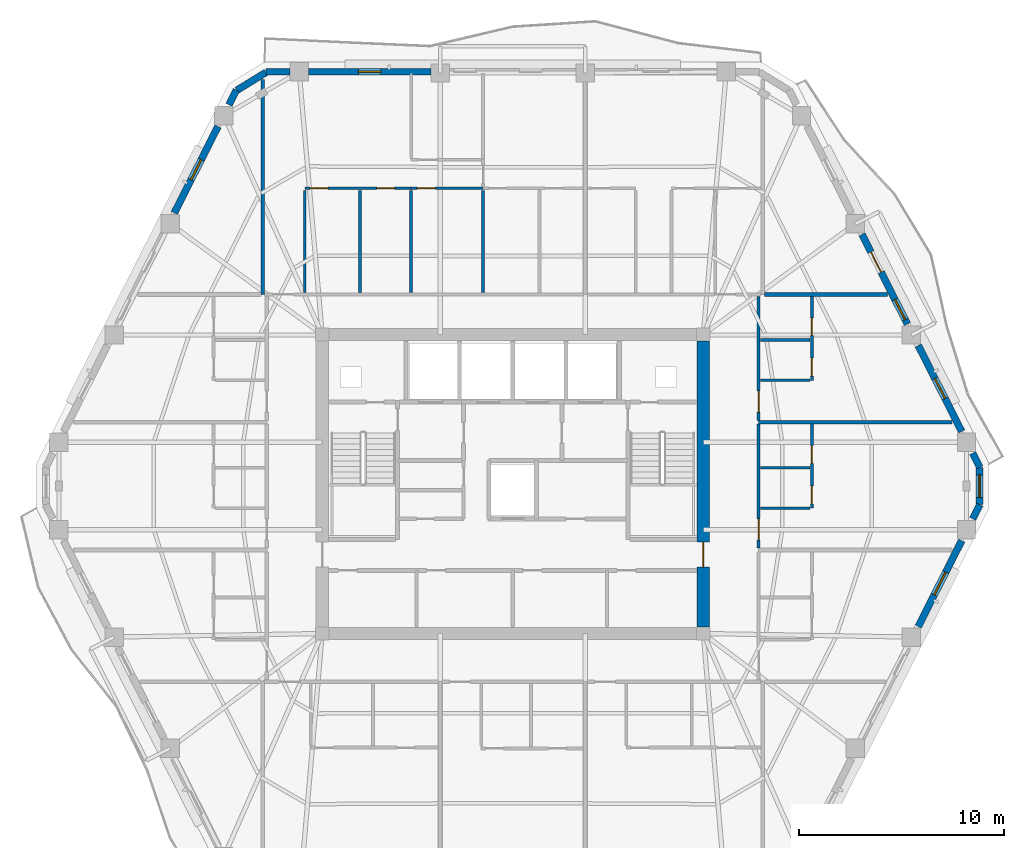
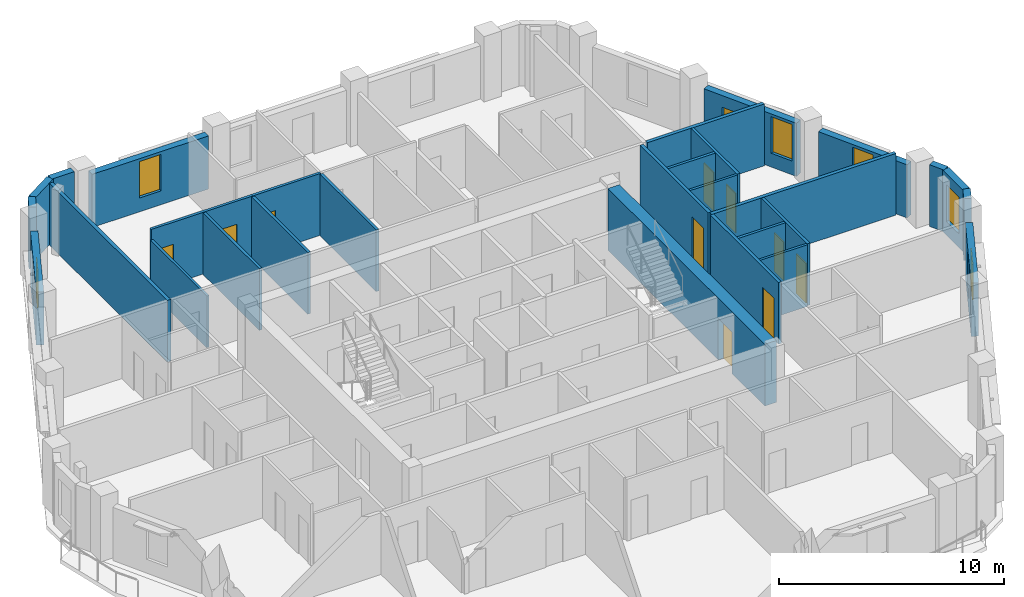
# One storey, part 7 of 11: 29 walls, 11 doors, 6 windows, 17 openings.
"""IFC4 building model written with IfcOpenShell, lengths in metres."""

from ifc_helpers import new_model, si_unit, direction, frame, frame_2d, origin, place, context, subcontext, project, spatial, rectangle, extrude, material, layer, layer_set, type_object, element, fill, save


model = new_model("IFC4")

# Units and contexts
model_context = context("Model", 3, precision=1e-05, world=origin(), true_north=direction((0.0, 1.0)))
body_context = subcontext(model_context, "Body", "Model", "MODEL_VIEW")
ifc_project = project(units=[si_unit("LENGTHUNIT", "METRE"), si_unit("AREAUNIT", "SQUARE_METRE"), si_unit("VOLUMEUNIT", "CUBIC_METRE"), si_unit("PLANEANGLEUNIT", "RADIAN"), si_unit("MASSUNIT", "GRAM", prefix="KILO")], contexts=[model_context])

# Site, building, storey
site_placement = place(None, origin())
site = spatial("IfcSite", under=ifc_project, at=site_placement, CompositionType="ELEMENT")
building_placement = place(site_placement, origin())
building = spatial("IfcBuilding", under=site, at=building_placement, Name="Cinnabar Lancet Tower", CompositionType="ELEMENT")
storey_placement = place(building_placement, frame((0.0, 0.0, 200.300048828125)))
storey = spatial("IfcBuildingStorey", under=building, at=storey_placement, Name="L53", CompositionType="ELEMENT", Elevation=200.300048828125)

# Wall, opening, door
ifc_material_1 = material(Name="Acoustic twin-stud gypsum partition", Category="gypsum")
ifc_layer_1 = layer(ifc_material_1, 0.159912109375)
ifc_layer_set_1 = layer_set([ifc_layer_1], Name="Acoustic twin-stud gypsum partition")
wall_type_1 = type_object("IfcWallType", Name="ARC-WL-CORR-160", PredefinedType="PARTITIONING", material=ifc_layer_set_1)
wall_1_placement = place(storey_placement, frame((44.39990234375, 22.77099609375, 0.0), z_axis=(0.0, 0.0, 1.0), x_axis=(0.0, 1.0, 0.0)))
wall_1 = element("IfcWall", 1, at=wall_1_placement, inside=storey, type_object=wall_type_1, Name="UW-L53-E02-COR", PredefinedType="PARTITIONING", context=body_context, shape_type="SweptSolid", body=[
    extrude(rectangle(XDim=6.047119140625, YDim=0.159912109375, at=frame_2d((3.0234375, 0.0))), origin(), (0.0, 0.0, 1.0), 3.349853515625),
])
opening_1_placement = place(wall_1_placement, frame((0.39990234375, 0.0, 0.0)))
opening_1 = element("IfcOpeningElement", 2, at=opening_1_placement, cuts=wall_1, Name="Opening UD-01", PredefinedType="OPENING", context=body_context, shape_type="SweptSolid", body=[
    extrude(rectangle(XDim=1.02001953125, YDim=2.25, at=frame_2d((0.510009765625, 1.125))), frame((0.0, 0.08984375, 0.0), z_axis=(0.0, -1.0, 0.0), x_axis=(1.0, 0.0, 0.0)), (0.0, 0.0, 1.0), 0.179931640625),
])
ifc_material_2 = material(Name="Solid timber fire-rated apartment entrance door", Category="wood")
door_type_1 = type_object("IfcDoorType", Name="ARC-DR-UNIT", OperationType="NOTDEFINED", PredefinedType="DOOR", material=ifc_material_2)
door_1_placement = place(opening_1_placement, origin())
door_1 = element("IfcDoor", 3, at=door_1_placement, inside=storey, type_object=door_type_1, Name="DR-L53-E02-ENT", OperationType="SINGLE_SWING_LEFT", OverallHeight=2.25, OverallWidth=1.02001953125, PredefinedType="DOOR", context=body_context, shape_type="SweptSolid", body=[
    extrude(rectangle(XDim=1.02001953125, YDim=2.25, at=frame_2d((0.510009765625, 1.125))), frame((0.0, 0.02490234375, 0.0), z_axis=(0.0, -1.0, 0.0), x_axis=(1.0, 0.0, 0.0)), (0.0, 0.0, 1.0), 0.050048828125),
])
fill(opening_1, door_1)

wall_2_placement = place(storey_placement, frame((44.39990234375, 29.008056640625, 0.0), z_axis=(0.0, 0.0, 1.0), x_axis=(0.0, 1.0, 0.0)))
wall_2 = element("IfcWall", 4, at=wall_2_placement, inside=storey, type_object=wall_type_1, Name="UW-L53-E03-COR", PredefinedType="PARTITIONING", context=body_context, shape_type="SweptSolid", body=[
    extrude(rectangle(XDim=6.046875, YDim=0.159912109375, at=frame_2d((3.0234375, 0.0))), origin(), (0.0, 0.0, 1.0), 3.349853515625),
])
opening_2_placement = place(wall_2_placement, frame((0.39990234375, 0.0, 0.0)))
opening_2 = element("IfcOpeningElement", 5, at=opening_2_placement, cuts=wall_2, Name="Opening UD-01", PredefinedType="OPENING", context=body_context, shape_type="SweptSolid", body=[
    extrude(rectangle(XDim=1.02001953125, YDim=2.25, at=frame_2d((0.510009765625, 1.125))), frame((0.0, 0.08984375, 0.0), z_axis=(0.0, -1.0, 0.0), x_axis=(1.0, 0.0, 0.0)), (0.0, 0.0, 1.0), 0.179931640625),
])
door_2_placement = place(opening_2_placement, origin())
door_2 = element("IfcDoor", 6, at=door_2_placement, inside=storey, type_object=door_type_1, Name="DR-L53-E03-ENT", OperationType="SINGLE_SWING_RIGHT", OverallHeight=2.25, OverallWidth=1.02001953125, PredefinedType="DOOR", context=body_context, shape_type="SweptSolid", body=[
    extrude(rectangle(XDim=1.02001953125, YDim=2.25, at=frame_2d((0.510009765625, 1.125))), frame((0.0, 0.02490234375, 0.0), z_axis=(0.0, -1.0, 0.0), x_axis=(1.0, 0.0, 0.0)), (0.0, 0.0, 1.0), 0.050048828125),
])
fill(opening_2, door_2)

# Walls
ifc_material_3 = material(Name="Fire-rated twin-frame acoustic drywall", Category="gypsum")
ifc_layer_2 = layer(ifc_material_3, 0.179931640625)
ifc_layer_set_2 = layer_set([ifc_layer_2], Name="Fire-rated twin-frame acoustic drywall")
wall_type_2 = type_object("IfcWallType", Name="ARC-WL-PARTY-180", PredefinedType="PARTITIONING", material=ifc_layer_set_2)
wall_3_placement = place(storey_placement, frame((20.199951171875, 35.14990234375, 0.0), z_axis=(0.0, 0.0, 1.0), x_axis=(0.0, 1.0, 0.0)))
element("IfcWall", 7, at=wall_3_placement, inside=storey, type_object=wall_type_2, Name="PW-L53-NPTY-202", PredefinedType="PARTITIONING", context=body_context, shape_type="SweptSolid", body=[
    extrude(rectangle(XDim=10.482177734375, YDim=0.179931640625, at=frame_2d((5.2412109375, 0.0))), origin(), (0.0, 0.0, 1.0), 3.349853515625),
])
wall_4_placement = place(storey_placement, frame((44.695068359375, 35.14990234375, 0.0), z_axis=(0.0, 0.0, 1.0), x_axis=(1.0, 0.0, 0.0)))
element("IfcWall", 8, at=wall_4_placement, inside=storey, type_object=wall_type_2, Name="PW-L53-ENB", PredefinedType="PARTITIONING", context=body_context, shape_type="SweptSolid", body=[
    extrude(rectangle(XDim=5.994873046875, YDim=0.179931640625, at=frame_2d((2.99755859375, 0.0))), origin(), (0.0, 0.0, 1.0), 3.349853515625),
])
wall_5_placement = place(storey_placement, frame((44.39990234375, 28.9130859375, 0.0), z_axis=(0.0, 0.0, 1.0), x_axis=(1.0, 0.0, 0.0)))
element("IfcWall", 9, at=wall_5_placement, inside=storey, type_object=wall_type_2, Name="PW-L53-EPTY-2", PredefinedType="PARTITIONING", context=body_context, shape_type="SweptSolid", body=[
    extrude(rectangle(XDim=9.446044921875, YDim=0.179931640625, at=frame_2d((4.72314453125, 0.0))), origin(), (0.0, 0.0, 1.0), 3.349853515625),
])
ifc_material_4 = material(Name="Gypsum plasterboard stud partition", Category="gypsum")
ifc_layer_3 = layer(ifc_material_4, 0.125)
ifc_layer_set_3 = layer_set([ifc_layer_3], Name="Gypsum plasterboard stud partition")
wall_type_3 = type_object("IfcWallType", Name="ARC-WL-UNIT-125", PredefinedType="PARTITIONING", material=ifc_layer_set_3)
wall_6_placement = place(storey_placement, frame((22.25, 35.235107421875, 0.0), z_axis=(0.0, 0.0, 1.0), x_axis=(0.0, 1.0, 0.0)))
element("IfcWall", 10, at=wall_6_placement, inside=storey, type_object=wall_type_3, Name="UW-L53-N01-FOYE", PredefinedType="PARTITIONING", context=body_context, shape_type="SweptSolid", body=[
    extrude(rectangle(XDim=4.990966796875, YDim=0.125, at=frame_2d((2.49560546875, 0.0))), origin(), (0.0, 0.0, 1.0), 2.806884765625),
])
for number, where, z_axis, x_axis, name in (
    (11, (44.485107421875, 24.72607421875, 0.0), (0.0, 0.0, 1.0), (1.0, 0.0, 0.0), "UW-L53-E02-FOYN"),
    (12, (44.485107421875, 30.962890625, 0.0), (0.0, 0.0, 1.0), (1.0, 0.0, 0.0), "UW-L53-E03-FOYN"),
):
    element("IfcWall", number, at=place(storey_placement, frame(where, z_axis=z_axis, x_axis=x_axis)), inside=storey, type_object=wall_type_3, Name=name, PredefinedType="PARTITIONING", context=body_context, shape_type="SweptSolid", body=[
        extrude(rectangle(XDim=2.429931640625, YDim=0.125, at=frame_2d((1.21484375, 0.0))), origin(), (0.0, 0.0, 1.0), 3.349853515625),
    ])

# Wall, openings, doors
ifc_material_5 = material(Name="Moisture-resistant cement-board plumbing wall", Category="masonry")
ifc_layer_4 = layer(ifc_material_5, 0.139892578125)
ifc_layer_set_4 = layer_set([ifc_layer_4], Name="Moisture-resistant cement-board plumbing wall")
wall_type_4 = type_object("IfcWallType", Name="ARC-WL-WET-140", PredefinedType="PLUMBINGWALL", material=ifc_layer_set_4)
wall_7_placement = place(storey_placement, frame((22.25, 40.3310546875, 0.0), z_axis=(0.0, 0.0, 1.0), x_axis=(1.0, 0.0, 0.0)))
wall_7 = element("IfcWall", 13, at=wall_7_placement, inside=storey, type_object=wall_type_4, Name="UW-L53-N01-SPL", PredefinedType="PLUMBINGWALL", context=body_context, shape_type="SweptSolid", body=[
    extrude(rectangle(XDim=5.19189453125, YDim=0.139892578125, at=frame_2d((2.595947265625, 0.0))), origin(), (0.0, 0.0, 1.0), 3.349853515625),
])
opening_3_placement = place(wall_7_placement, frame((3.52099609375, 0.0, 0.0)))
opening_3 = element("IfcOpeningElement", 14, at=opening_3_placement, cuts=wall_7, Name="Opening BD-01", PredefinedType="OPENING", context=body_context, shape_type="SweptSolid", body=[
    extrude(rectangle(XDim=0.860107421875, YDim=2.10009765625, at=frame_2d((0.43017578125, 1.050048828125))), frame((0.0, 0.079833984375, 0.0), z_axis=(0.0, -1.0, 0.0), x_axis=(1.0, 0.0, 0.0)), (0.0, 0.0, 1.0), 0.159912109375),
])
opening_4_placement = place(wall_7_placement, frame((0.260009765625, 0.0, 0.0)))
opening_4 = element("IfcOpeningElement", 15, at=opening_4_placement, cuts=wall_7, Name="Opening RD-02", PredefinedType="OPENING", context=body_context, shape_type="SweptSolid", body=[
    extrude(rectangle(XDim=0.8798828125, YDim=2.14990234375, at=frame_2d((0.43994140625, 1.074951171875))), frame((0.0, 0.079833984375, 0.0), z_axis=(0.0, -1.0, 0.0), x_axis=(1.0, 0.0, 0.0)), (0.0, 0.0, 1.0), 0.159912109375),
])
ifc_material_6 = material(Name="Moisture-resistant timber bathroom door", Category="wood")
door_type_2 = type_object("IfcDoorType", Name="ARC-DR-BATH", OperationType="NOTDEFINED", PredefinedType="DOOR", material=ifc_material_6)
door_3_placement = place(opening_3_placement, origin())
door_3 = element("IfcDoor", 16, at=door_3_placement, inside=storey, type_object=door_type_2, Name="DR-L53-N01-BTH", OperationType="SINGLE_SWING_RIGHT", OverallHeight=2.10009765625, OverallWidth=0.860107421875, PredefinedType="DOOR", context=body_context, shape_type="SweptSolid", body=[
    extrude(rectangle(XDim=0.860107421875, YDim=2.10009765625, at=frame_2d((0.43017578125, 1.050048828125))), frame((0.0, 0.02490234375, 0.0), z_axis=(0.0, -1.0, 0.0), x_axis=(1.0, 0.0, 0.0)), (0.0, 0.0, 1.0), 0.050048828125),
])
fill(opening_3, door_3)
ifc_material_7 = material(Name="Engineered timber study door", Category="wood")
door_type_3 = type_object("IfcDoorType", Name="ARC-DR-STUDY", OperationType="NOTDEFINED", PredefinedType="DOOR", material=ifc_material_7)
door_4_placement = place(opening_4_placement, origin())
door_4 = element("IfcDoor", 17, at=door_4_placement, inside=storey, type_object=door_type_3, Name="DR-L53-N01-KIT", OperationType="SINGLE_SWING_LEFT", OverallHeight=2.14990234375, OverallWidth=0.8798828125, PredefinedType="DOOR", context=body_context, shape_type="SweptSolid", body=[
    extrude(rectangle(XDim=0.8798828125, YDim=2.14990234375, at=frame_2d((0.43994140625, 1.074951171875))), frame((0.0, 0.02490234375, 0.0), z_axis=(0.0, -1.0, 0.0), x_axis=(1.0, 0.0, 0.0)), (0.0, 0.0, 1.0), 0.050048828125),
])
fill(opening_4, door_4)

# Wall, opening, door
wall_8_placement = place(storey_placement, frame((27.44189453125, 40.3310546875, 0.0), z_axis=(0.0, 0.0, 1.0), x_axis=(1.0, 0.0, 0.0)))
wall_8 = element("IfcWall", 18, at=wall_8_placement, inside=storey, type_object=wall_type_4, Name="UW-L53-N01-SPM", PredefinedType="PLUMBINGWALL", context=body_context, shape_type="SweptSolid", body=[
    extrude(rectangle(XDim=3.508056640625, YDim=0.139892578125, at=frame_2d((1.75390625, 0.0))), origin(), (0.0, 0.0, 1.0), 3.349853515625),
])
opening_5_placement = place(wall_8_placement, frame((0.300048828125, 0.0, 0.0)))
opening_5 = element("IfcOpeningElement", 19, at=opening_5_placement, cuts=wall_8, Name="Opening RD-02", PredefinedType="OPENING", context=body_context, shape_type="SweptSolid", body=[
    extrude(rectangle(XDim=0.8798828125, YDim=2.14990234375, at=frame_2d((0.43994140625, 1.074951171875))), frame((0.0, 0.079833984375, 0.0), z_axis=(0.0, -1.0, 0.0), x_axis=(1.0, 0.0, 0.0)), (0.0, 0.0, 1.0), 0.159912109375),
])
door_5_placement = place(opening_5_placement, origin())
door_5 = element("IfcDoor", 20, at=door_5_placement, inside=storey, type_object=door_type_3, Name="DR-L53-N01-UTL", OperationType="SINGLE_SWING_RIGHT", OverallHeight=2.14990234375, OverallWidth=0.8798828125, PredefinedType="DOOR", context=body_context, shape_type="SweptSolid", body=[
    extrude(rectangle(XDim=0.8798828125, YDim=2.14990234375, at=frame_2d((0.43994140625, 1.074951171875))), frame((0.0, 0.02490234375, 0.0), z_axis=(0.0, -1.0, 0.0), x_axis=(1.0, 0.0, 0.0)), (0.0, 0.0, 1.0), 0.050048828125),
])
fill(opening_5, door_5)

# Walls
for number, where, z_axis, x_axis, name in (
    (21, (24.949951171875, 35.235107421875, 0.0), (0.0, 0.0, 1.0), (0.0, 1.0, 0.0), "UW-L53-N01-KDV"),
    (22, (27.44189453125, 35.235107421875, 0.0), (0.0, 0.0, 1.0), (0.0, 1.0, 0.0), "UW-L53-N01-ENSW"),
    (23, (30.949951171875, 35.235107421875, 0.0), (0.0, 0.0, 1.0), (0.0, 1.0, 0.0), "UW-L53-N01-ENSE"),
):
    element("IfcWall", number, at=place(storey_placement, frame(where, z_axis=z_axis, x_axis=x_axis)), inside=storey, type_object=wall_type_4, Name=name, PredefinedType="PLUMBINGWALL", context=body_context, shape_type="SweptSolid", body=[
        extrude(rectangle(XDim=4.990966796875, YDim=0.139892578125, at=frame_2d((2.49560546875, 0.0))), origin(), (0.0, 0.0, 1.0), 3.349853515625),
    ])

# Wall, openings, doors
wall_9_placement = place(storey_placement, frame((47.0, 24.72607421875, 0.0), z_axis=(0.0, 0.0, 1.0), x_axis=(0.0, 1.0, 0.0)))
wall_9 = element("IfcWall", 24, at=wall_9_placement, inside=storey, type_object=wall_type_4, Name="UW-L53-E02-SPL", PredefinedType="PLUMBINGWALL", context=body_context, shape_type="SweptSolid", body=[
    extrude(rectangle(XDim=4.092041015625, YDim=0.139892578125, at=frame_2d((2.0458984375, 0.0))), origin(), (0.0, 0.0, 1.0), 3.349853515625),
])
opening_6_placement = place(wall_9_placement, frame((2.18408203125, 0.0, 0.0)))
opening_6 = element("IfcOpeningElement", 25, at=opening_6_placement, cuts=wall_9, Name="Opening BD-01", PredefinedType="OPENING", context=body_context, shape_type="SweptSolid", body=[
    extrude(rectangle(XDim=0.860107421875, YDim=2.10009765625, at=frame_2d((0.43017578125, 1.050048828125))), frame((0.0, 0.079833984375, 0.0), z_axis=(0.0, -1.0, 0.0), x_axis=(1.0, 0.0, 0.0)), (0.0, 0.0, 1.0), 0.159912109375),
])
opening_7_placement = place(wall_9_placement, frame((0.199951171875, 0.0, 0.0)))
opening_7 = element("IfcOpeningElement", 26, at=opening_7_placement, cuts=wall_9, Name="Opening RD-02", PredefinedType="OPENING", context=body_context, shape_type="SweptSolid", body=[
    extrude(rectangle(XDim=0.8798828125, YDim=2.14990234375, at=frame_2d((0.43994140625, 1.074951171875))), frame((0.0, 0.079833984375, 0.0), z_axis=(0.0, -1.0, 0.0), x_axis=(1.0, 0.0, 0.0)), (0.0, 0.0, 1.0), 0.159912109375),
])
door_6_placement = place(opening_6_placement, origin())
door_6 = element("IfcDoor", 27, at=door_6_placement, inside=storey, type_object=door_type_2, Name="DR-L53-E02-BTH", OperationType="SINGLE_SWING_LEFT", OverallHeight=2.10009765625, OverallWidth=0.860107421875, PredefinedType="DOOR", context=body_context, shape_type="SweptSolid", body=[
    extrude(rectangle(XDim=0.860107421875, YDim=2.10009765625, at=frame_2d((0.43017578125, 1.050048828125))), frame((0.0, 0.02490234375, 0.0), z_axis=(0.0, -1.0, 0.0), x_axis=(1.0, 0.0, 0.0)), (0.0, 0.0, 1.0), 0.050048828125),
])
fill(opening_6, door_6)
door_7_placement = place(opening_7_placement, origin())
door_7 = element("IfcDoor", 28, at=door_7_placement, inside=storey, type_object=door_type_3, Name="DR-L53-E02-KIT", OperationType="SINGLE_SWING_RIGHT", OverallHeight=2.14990234375, OverallWidth=0.8798828125, PredefinedType="DOOR", context=body_context, shape_type="SweptSolid", body=[
    extrude(rectangle(XDim=0.8798828125, YDim=2.14990234375, at=frame_2d((0.43994140625, 1.074951171875))), frame((0.0, 0.02490234375, 0.0), z_axis=(0.0, -1.0, 0.0), x_axis=(1.0, 0.0, 0.0)), (0.0, 0.0, 1.0), 0.050048828125),
])
fill(opening_7, door_7)

# Wall
wall_10_placement = place(storey_placement, frame((44.485107421875, 26.68994140625, 0.0), z_axis=(0.0, 0.0, 1.0), x_axis=(1.0, 0.0, 0.0)))
element("IfcWall", 29, at=wall_10_placement, inside=storey, type_object=wall_type_4, Name="UW-L53-E02-KDV", PredefinedType="PLUMBINGWALL", context=body_context, shape_type="SweptSolid", body=[
    extrude(rectangle(XDim=2.429931640625, YDim=0.139892578125, at=frame_2d((1.21484375, 0.0))), origin(), (0.0, 0.0, 1.0), 3.349853515625),
])

# Wall, openings, doors
wall_11_placement = place(storey_placement, frame((47.0, 30.962890625, 0.0), z_axis=(0.0, 0.0, 1.0), x_axis=(0.0, 1.0, 0.0)))
wall_11 = element("IfcWall", 30, at=wall_11_placement, inside=storey, type_object=wall_type_4, Name="UW-L53-E03-SPL", PredefinedType="PLUMBINGWALL", context=body_context, shape_type="SweptSolid", body=[
    extrude(rectangle(XDim=4.092041015625, YDim=0.139892578125, at=frame_2d((2.0458984375, 0.0))), origin(), (0.0, 0.0, 1.0), 3.349853515625),
])
opening_8_placement = place(wall_11_placement, frame((2.18408203125, 0.0, 0.0)))
opening_8 = element("IfcOpeningElement", 31, at=opening_8_placement, cuts=wall_11, Name="Opening BD-01", PredefinedType="OPENING", context=body_context, shape_type="SweptSolid", body=[
    extrude(rectangle(XDim=0.860107421875, YDim=2.10009765625, at=frame_2d((0.43017578125, 1.050048828125))), frame((0.0, 0.079833984375, 0.0), z_axis=(0.0, -1.0, 0.0), x_axis=(1.0, 0.0, 0.0)), (0.0, 0.0, 1.0), 0.159912109375),
])
opening_9_placement = place(wall_11_placement, frame((0.199951171875, 0.0, 0.0)))
opening_9 = element("IfcOpeningElement", 32, at=opening_9_placement, cuts=wall_11, Name="Opening RD-02", PredefinedType="OPENING", context=body_context, shape_type="SweptSolid", body=[
    extrude(rectangle(XDim=0.8798828125, YDim=2.14990234375, at=frame_2d((0.43994140625, 1.074951171875))), frame((0.0, 0.079833984375, 0.0), z_axis=(0.0, -1.0, 0.0), x_axis=(1.0, 0.0, 0.0)), (0.0, 0.0, 1.0), 0.159912109375),
])
door_8_placement = place(opening_8_placement, origin())
door_8 = element("IfcDoor", 33, at=door_8_placement, inside=storey, type_object=door_type_2, Name="DR-L53-E03-BTH", OperationType="SINGLE_SWING_RIGHT", OverallHeight=2.10009765625, OverallWidth=0.860107421875, PredefinedType="DOOR", context=body_context, shape_type="SweptSolid", body=[
    extrude(rectangle(XDim=0.860107421875, YDim=2.10009765625, at=frame_2d((0.43017578125, 1.050048828125))), frame((0.0, 0.02490234375, 0.0), z_axis=(0.0, -1.0, 0.0), x_axis=(1.0, 0.0, 0.0)), (0.0, 0.0, 1.0), 0.050048828125),
])
fill(opening_8, door_8)
door_9_placement = place(opening_9_placement, origin())
door_9 = element("IfcDoor", 34, at=door_9_placement, inside=storey, type_object=door_type_3, Name="DR-L53-E03-KIT", OperationType="SINGLE_SWING_LEFT", OverallHeight=2.14990234375, OverallWidth=0.8798828125, PredefinedType="DOOR", context=body_context, shape_type="SweptSolid", body=[
    extrude(rectangle(XDim=0.8798828125, YDim=2.14990234375, at=frame_2d((0.43994140625, 1.074951171875))), frame((0.0, 0.02490234375, 0.0), z_axis=(0.0, -1.0, 0.0), x_axis=(1.0, 0.0, 0.0)), (0.0, 0.0, 1.0), 0.050048828125),
])
fill(opening_9, door_9)

# Wall
wall_12_placement = place(storey_placement, frame((44.485107421875, 32.927001953125, 0.0), z_axis=(0.0, 0.0, 1.0), x_axis=(1.0, 0.0, 0.0)))
element("IfcWall", 35, at=wall_12_placement, inside=storey, type_object=wall_type_4, Name="UW-L53-E03-KDV", PredefinedType="PLUMBINGWALL", context=body_context, shape_type="SweptSolid", body=[
    extrude(rectangle(XDim=2.429931640625, YDim=0.139892578125, at=frame_2d((1.21484375, 0.0))), origin(), (0.0, 0.0, 1.0), 3.349853515625),
])

# Wall, opening, window
ifc_material_8 = material(Name="Cinnabar red clay brick", Category="masonry")
ifc_layer_5 = layer(ifc_material_8, 0.340087890625)
ifc_layer_set_5 = layer_set([ifc_layer_5], Name="Cinnabar red clay brick")
wall_type_5 = type_object("IfcWallType", Name="ENV-WL-BRK-RED-340", PredefinedType="STANDARD", material=ifc_layer_set_5)
wall_13_placement = place(storey_placement, frame((55.177978515625, 24.89208984375, 0.0), z_axis=(0.0, 0.0, 1.0), x_axis=(0.0, 1.0, 0.0)))
wall_13 = element("IfcWall", 36, at=wall_13_placement, inside=storey, type_object=wall_type_5, Name="L53 Chamfered Corner Brick Pier 3.1", PredefinedType="STANDARD", context=body_context, shape_type="SweptSolid", body=[
    extrude(rectangle(XDim=1.81591796875, YDim=0.340087890625, at=frame_2d((0.907958984375, 0.0))), origin(), (0.0, 0.0, 1.0), 3.349853515625),
])
opening_10_placement = place(wall_13_placement, frame((0.35791015625, 0.0, 0.75)))
opening_10 = element("IfcOpeningElement", 37, at=opening_10_placement, cuts=wall_13, Name="Opening WN-04", PredefinedType="OPENING", context=body_context, shape_type="SweptSolid", body=[
    extrude(rectangle(XDim=1.10009765625, YDim=2.0, at=frame_2d((0.550048828125, 1.0))), frame((0.0, 0.179931640625, 0.0), z_axis=(0.0, -1.0, 0.0), x_axis=(1.0, 0.0, 0.0)), (0.0, 0.0, 1.0), 0.360107421875),
])
ifc_material_9 = material(Name="Thermally broken bronze-anodized aluminium tall lancet window", Category="aluminium")
window_type_1 = type_object("IfcWindowType", Name="ENV-WN-LANCET-1100", PartitioningType="SINGLE_PANEL", PredefinedType="WINDOW", material=ifc_material_9)
window_1_placement = place(opening_10_placement, origin())
window_1 = element("IfcWindow", 38, at=window_1_placement, inside=storey, type_object=window_type_1, Name="L53 Dwelling Gothic Lancet Window 330", OverallHeight=2.0, OverallWidth=1.10009765625, PartitioningType="SINGLE_PANEL", PredefinedType="WINDOW", context=body_context, shape_type="SweptSolid", body=[
    extrude(rectangle(XDim=1.10009765625, YDim=2.0, at=frame_2d((0.550048828125, 1.0))), frame((0.0, 0.030029296875, 0.0), z_axis=(0.0, -1.0, 0.0), x_axis=(1.0, 0.0, 0.0)), (0.0, 0.0, 1.0), 0.06005859375),
])
fill(opening_10, window_1)

# Wall
wall_14_placement = place(storey_placement, frame((20.366943359375, 45.9951171875, 0.0), z_axis=(0.0, 0.0, 1.0), x_axis=(-0.851713271379, -0.524008113828, 0.0)))
element("IfcWall", 39, at=wall_14_placement, inside=storey, type_object=wall_type_5, Name="L53 Chamfered Corner Brick Pier 5.1", PredefinedType="STANDARD", context=body_context, shape_type="SweptSolid", body=[
    extrude(rectangle(XDim=1.677734375, YDim=0.340087890625, at=frame_2d((0.8388671875, 0.0))), origin(), (0.0, 0.0, 1.0), 3.349853515625),
])

# Wall, opening, window
wall_15_placement = place(storey_placement, frame((52.193115234375, 18.943115234375, 0.0), z_axis=(0.0, 0.0, 1.0), x_axis=(0.451447222193, 0.892297823361, 0.0)))
wall_15 = element("IfcWall", 40, at=wall_15_placement, inside=storey, type_object=wall_type_5, Name="L53 Face 2 Masonry Bay Wall 4", PredefinedType="STANDARD", context=body_context, shape_type="SweptSolid", body=[
    extrude(rectangle(XDim=4.699951171875, YDim=0.340087890625, at=frame_2d((2.35009765625, 0.0))), origin(), (0.0, 0.0, 1.0), 2.883056640625),
])
opening_11_placement = place(wall_15_placement, frame((1.72509765625, 0.0, 0.75)))
opening_11 = element("IfcOpeningElement", 41, at=opening_11_placement, cuts=wall_15, Name="Opening WN-03", PredefinedType="OPENING", context=body_context, shape_type="SweptSolid", body=[
    extrude(rectangle(XDim=1.25, YDim=1.949951171875, at=frame_2d((0.625, 0.97509765625))), frame((0.0, 0.179931640625, 0.0), z_axis=(0.0, -1.0, 0.0), x_axis=(1.0, 0.0, 0.0)), (0.0, 0.0, 1.0), 0.360107421875),
])
ifc_material_10 = material(Name="Thermally broken bronze-anodized aluminium low-E double glazing", Category="aluminium")
window_type_2 = type_object("IfcWindowType", Name="ENV-WN-LANCET-1250", PartitioningType="SINGLE_PANEL", PredefinedType="WINDOW", material=ifc_material_10)
window_2_placement = place(opening_11_placement, origin())
window_2 = element("IfcWindow", 42, at=window_2_placement, inside=storey, type_object=window_type_2, Name="L53 Face 2 Gothic Lancet Window 4", OverallHeight=1.949951171875, OverallWidth=1.25, PartitioningType="SINGLE_PANEL", PredefinedType="WINDOW", context=body_context, shape_type="SweptSolid", body=[
    extrude(rectangle(XDim=1.25, YDim=1.949951171875, at=frame_2d((0.625, 0.97509765625))), frame((0.0, 0.030029296875, 0.0), z_axis=(0.0, -1.0, 0.0), x_axis=(1.0, 0.0, 0.0)), (0.0, 0.0, 1.0), 0.06005859375),
])
fill(opening_11, window_2)

# Walls
for number, where, z_axis, x_axis, name in (
    (43, (54.85107421875, 24.197021484375, 0.0), (0.0, 0.0, 1.0), (0.451262448184, 0.892391283496, 0.0), "L53 Face 2 Masonry Bay Wall 5"),
    (44, (55.198974609375, 26.715087890625, 0.0), (0.0, 0.0, 1.0), (-0.451262448184, 0.892391283496, 0.0), "L53 Face 3 Masonry Bay Wall 1"),
):
    element("IfcWall", number, at=place(storey_placement, frame(where, z_axis=z_axis, x_axis=x_axis)), inside=storey, type_object=wall_type_5, Name=name, PredefinedType="STANDARD", context=body_context, shape_type="SweptSolid", body=[
        extrude(rectangle(XDim=0.77099609375, YDim=0.340087890625, at=frame_2d((0.385498046875, 0.0))), origin(), (0.0, 0.0, 1.0), 3.349853515625),
    ])

# Wall, opening, window
wall_16_placement = place(storey_placement, frame((54.31494140625, 28.462890625, 0.0), z_axis=(0.0, 0.0, 1.0), x_axis=(-0.451426298588, 0.892308409096, 0.0)))
wall_16 = element("IfcWall", 45, at=wall_16_placement, inside=storey, type_object=wall_type_5, Name="L53 Face 3 Masonry Bay Wall 2", PredefinedType="STANDARD", context=body_context, shape_type="SweptSolid", body=[
    extrude(rectangle(XDim=4.7001953125, YDim=0.340087890625, at=frame_2d((2.35009765625, 0.0))), origin(), (0.0, 0.0, 1.0), 2.883056640625),
])
opening_12_placement = place(wall_16_placement, frame((1.800048828125, 0.0, 0.75)))
opening_12 = element("IfcOpeningElement", 46, at=opening_12_placement, cuts=wall_16, Name="Opening WN-04", PredefinedType="OPENING", context=body_context, shape_type="SweptSolid", body=[
    extrude(rectangle(XDim=1.10009765625, YDim=1.98291015625, at=frame_2d((0.550048828125, 0.991455078125))), frame((0.0, 0.179931640625, 0.0), z_axis=(0.0, -1.0, 0.0), x_axis=(1.0, 0.0, 0.0)), (0.0, 0.0, 1.0), 0.360107421875),
])
window_3_placement = place(opening_12_placement, origin())
window_3 = element("IfcWindow", 47, at=window_3_placement, inside=storey, type_object=window_type_1, Name="L53 Face 3 Gothic Lancet Window 2", OverallHeight=1.98291015625, OverallWidth=1.10009765625, PartitioningType="SINGLE_PANEL", PredefinedType="WINDOW", context=body_context, shape_type="SweptSolid", body=[
    extrude(rectangle(XDim=1.10009765625, YDim=1.98291015625, at=frame_2d((0.550048828125, 0.991455078125))), frame((0.0, 0.030029296875, 0.0), z_axis=(0.0, -1.0, 0.0), x_axis=(1.0, 0.0, 0.0)), (0.0, 0.0, 1.0), 0.06005859375),
])
fill(opening_12, window_3)

# Wall, openings, door, window
wall_17_placement = place(storey_placement, frame((51.6650390625, 33.701904296875, 0.0), z_axis=(0.0, 0.0, 1.0), x_axis=(-0.451524246964, 0.89225884944, 0.0)))
wall_17 = element("IfcWall", 48, at=wall_17_placement, inside=storey, type_object=wall_type_5, Name="L53 Face 3 Masonry Bay Wall 3", PredefinedType="STANDARD", context=body_context, shape_type="SweptSolid", body=[
    extrude(rectangle(XDim=4.91015625, YDim=0.340087890625, at=frame_2d((2.455078125, 0.0))), origin(), (0.0, 0.0, 1.0), 2.883056640625),
])
opening_13_placement = place(wall_17_placement, frame((2.842041015625, 0.0, 0.0)))
opening_13 = element("IfcOpeningElement", 49, at=opening_13_placement, cuts=wall_17, Name="Opening TD-01", PredefinedType="OPENING", context=body_context, shape_type="SweptSolid", body=[
    extrude(rectangle(XDim=1.10009765625, YDim=2.25, at=frame_2d((0.550048828125, 1.125))), frame((0.0, 0.179931640625, 0.0), z_axis=(0.0, -1.0, 0.0), x_axis=(1.0, 0.0, 0.0)), (0.0, 0.0, 1.0), 0.360107421875),
])
opening_14_placement = place(wall_17_placement, frame((0.240966796875, 0.0, 0.75)))
opening_14 = element("IfcOpeningElement", 50, at=opening_14_placement, cuts=wall_17, Name="Opening WN-04", PredefinedType="OPENING", context=body_context, shape_type="SweptSolid", body=[
    extrude(rectangle(XDim=1.10009765625, YDim=1.98291015625, at=frame_2d((0.550048828125, 0.991455078125))), frame((0.0, 0.179931640625, 0.0), z_axis=(0.0, -1.0, 0.0), x_axis=(1.0, 0.0, 0.0)), (0.0, 0.0, 1.0), 0.360107421875),
])
ifc_material_11 = material(Name="Thermally broken low-E glazed balcony terrace door", Category="wood")
door_type_4 = type_object("IfcDoorType", Name="ARC-DR-BALC", OperationType="NOTDEFINED", PredefinedType="DOOR", material=ifc_material_11)
door_10_placement = place(opening_13_placement, origin())
door_10 = element("IfcDoor", 51, at=door_10_placement, inside=storey, type_object=door_type_4, Name="L53 Face 3 Glazed Terrace Door", OperationType="SINGLE_SWING_LEFT", OverallHeight=2.25, OverallWidth=1.10009765625, PredefinedType="DOOR", context=body_context, shape_type="SweptSolid", body=[
    extrude(rectangle(XDim=1.10009765625, YDim=2.25, at=frame_2d((0.550048828125, 1.125))), frame((0.0, 0.02490234375, 0.0), z_axis=(0.0, -1.0, 0.0), x_axis=(1.0, 0.0, 0.0)), (0.0, 0.0, 1.0), 0.050048828125),
])
fill(opening_13, door_10)
window_4_placement = place(opening_14_placement, origin())
window_4 = element("IfcWindow", 52, at=window_4_placement, inside=storey, type_object=window_type_1, Name="L53 Split-Bay Gothic Lancet Window 178", OverallHeight=1.98291015625, OverallWidth=1.10009765625, PartitioningType="SINGLE_PANEL", PredefinedType="WINDOW", context=body_context, shape_type="SweptSolid", body=[
    extrude(rectangle(XDim=1.10009765625, YDim=1.98291015625, at=frame_2d((0.550048828125, 0.991455078125))), frame((0.0, 0.030029296875, 0.0), z_axis=(0.0, -1.0, 0.0), x_axis=(1.0, 0.0, 0.0)), (0.0, 0.0, 1.0), 0.06005859375),
])
fill(opening_14, window_4)

# Wall, opening, window
wall_18_placement = place(storey_placement, frame((28.403076171875, 46.02001953125, 0.0), z_axis=(0.0, 0.0, 1.0), x_axis=(-1.0, 0.0, 0.0)))
wall_18 = element("IfcWall", 53, at=wall_18_placement, inside=storey, type_object=wall_type_5, Name="L53 Face 4 Masonry Bay Wall 4", PredefinedType="STANDARD", context=body_context, shape_type="SweptSolid", body=[
    extrude(rectangle(XDim=5.969970703125, YDim=0.340087890625, at=frame_2d((2.98486328125, 0.0))), origin(), (0.0, 0.0, 1.0), 2.883056640625),
])
opening_15_placement = place(wall_18_placement, frame((2.43505859375, 0.0, 0.75)))
opening_15 = element("IfcOpeningElement", 54, at=opening_15_placement, cuts=wall_18, Name="Opening WN-04", PredefinedType="OPENING", context=body_context, shape_type="SweptSolid", body=[
    extrude(rectangle(XDim=1.10009765625, YDim=1.98291015625, at=frame_2d((0.550048828125, 0.991455078125))), frame((0.0, 0.179931640625, 0.0), z_axis=(0.0, -1.0, 0.0), x_axis=(1.0, 0.0, 0.0)), (0.0, 0.0, 1.0), 0.360107421875),
])
window_5_placement = place(opening_15_placement, origin())
window_5 = element("IfcWindow", 55, at=window_5_placement, inside=storey, type_object=window_type_1, Name="L53 Face 4 Gothic Lancet Window 4", OverallHeight=1.98291015625, OverallWidth=1.10009765625, PartitioningType="SINGLE_PANEL", PredefinedType="WINDOW", context=body_context, shape_type="SweptSolid", body=[
    extrude(rectangle(XDim=1.10009765625, YDim=1.98291015625, at=frame_2d((0.550048828125, 0.991455078125))), frame((0.0, 0.030029296875, 0.0), z_axis=(0.0, -1.0, 0.0), x_axis=(1.0, 0.0, 0.0)), (0.0, 0.0, 1.0), 0.06005859375),
])
fill(opening_15, window_5)

# Walls
wall_19_placement = place(storey_placement, frame((21.52490234375, 46.02001953125, 0.0), z_axis=(0.0, 0.0, 1.0), x_axis=(-1.0, 0.0, 0.0)))
element("IfcWall", 56, at=wall_19_placement, inside=storey, type_object=wall_type_5, Name="L53 Face 4 Masonry Bay Wall 5", PredefinedType="STANDARD", context=body_context, shape_type="SweptSolid", body=[
    extrude(rectangle(XDim=1.162841796875, YDim=0.340087890625, at=frame_2d((0.58154296875, 0.0))), origin(), (0.0, 0.0, 1.0), 3.349853515625),
])
wall_20_placement = place(storey_placement, frame((18.91796875, 45.132080078125, 0.0), z_axis=(0.0, 0.0, 1.0), x_axis=(-0.451691568309, -0.892174157392, 0.0)))
element("IfcWall", 57, at=wall_20_placement, inside=storey, type_object=wall_type_5, Name="L53 Face 5 Masonry Bay Wall 1", PredefinedType="STANDARD", context=body_context, shape_type="SweptSolid", body=[
    extrude(rectangle(XDim=0.805908203125, YDim=0.340087890625, at=frame_2d((0.40283203125, 0.0))), origin(), (0.0, 0.0, 1.0), 3.349853515625),
])

# Wall, opening, window
wall_21_placement = place(storey_placement, frame((18.01708984375, 43.35107421875, 0.0), z_axis=(0.0, 0.0, 1.0), x_axis=(-0.45150207307, -0.892270070109, 0.0)))
wall_21 = element("IfcWall", 58, at=wall_21_placement, inside=storey, type_object=wall_type_5, Name="L53 Face 5 Masonry Bay Wall 2", PredefinedType="STANDARD", context=body_context, shape_type="SweptSolid", body=[
    extrude(rectangle(XDim=4.73095703125, YDim=0.340087890625, at=frame_2d((2.365478515625, 0.0))), origin(), (0.0, 0.0, 1.0), 2.883056640625),
])
opening_16_placement = place(wall_21_placement, frame((1.81494140625, 0.0, 0.75)))
opening_16 = element("IfcOpeningElement", 59, at=opening_16_placement, cuts=wall_21, Name="Opening WN-04", PredefinedType="OPENING", context=body_context, shape_type="SweptSolid", body=[
    extrude(rectangle(XDim=1.10009765625, YDim=1.98291015625, at=frame_2d((0.550048828125, 0.991455078125))), frame((0.0, 0.179931640625, 0.0), z_axis=(0.0, -1.0, 0.0), x_axis=(1.0, 0.0, 0.0)), (0.0, 0.0, 1.0), 0.360107421875),
])
window_6_placement = place(opening_16_placement, origin())
window_6 = element("IfcWindow", 60, at=window_6_placement, inside=storey, type_object=window_type_1, Name="L53 Face 5 Gothic Lancet Window 2", OverallHeight=1.98291015625, OverallWidth=1.10009765625, PartitioningType="SINGLE_PANEL", PredefinedType="WINDOW", context=body_context, shape_type="SweptSolid", body=[
    extrude(rectangle(XDim=1.10009765625, YDim=1.98291015625, at=frame_2d((0.550048828125, 0.991455078125))), frame((0.0, 0.030029296875, 0.0), z_axis=(0.0, -1.0, 0.0), x_axis=(1.0, 0.0, 0.0)), (0.0, 0.0, 1.0), 0.06005859375),
])
fill(opening_16, window_6)

# Wall, opening, door
ifc_material_12 = material(Name="Concrete C60/75", Category="concrete")
ifc_layer_6 = layer(ifc_material_12, 0.60009765625)
ifc_layer_set_6 = layer_set([ifc_layer_6], Name="Concrete C60/75")
wall_type_6 = type_object("IfcWallType", Name="STR-WL-CORE-600", PredefinedType="SHEAR", material=ifc_layer_set_6)
wall_22_placement = place(storey_placement, frame((41.699951171875, 18.925048828125, 0.0), z_axis=(0.0, 0.0, 1.0), x_axis=(0.0, 1.0, 0.0)))
wall_22 = element("IfcWall", 61, at=wall_22_placement, inside=storey, type_object=wall_type_6, Name="L53 Core Shear Wall E", PredefinedType="SHEAR", context=body_context, shape_type="SweptSolid", body=[
    extrude(rectangle(XDim=13.949951171875, YDim=0.60009765625, at=frame_2d((6.97509765625, 0.0))), origin(), (0.0, 0.0, 1.0), 3.349853515625),
])
opening_17_placement = place(wall_22_placement, frame((2.9150390625, 0.0, 0.0)))
opening_17 = element("IfcOpeningElement", 62, at=opening_17_placement, cuts=wall_22, Name="Opening FD-02", PredefinedType="OPENING", context=body_context, shape_type="SweptSolid", body=[
    extrude(rectangle(XDim=1.219970703125, YDim=2.25, at=frame_2d((0.60986328125, 1.125))), frame((0.0, 0.31005859375, 0.0), z_axis=(0.0, -1.0, 0.0), x_axis=(1.0, 0.0, 0.0)), (0.0, 0.0, 1.0), 0.6201171875),
])
ifc_material_13 = material(Name="Fire-rated double-vision core portal door", Category="wood")
door_type_5 = type_object("IfcDoorType", Name="ARC-DR-CPORT", OperationType="NOTDEFINED", PredefinedType="DOOR", material=ifc_material_13)
door_11_placement = place(opening_17_placement, origin())
door_11 = element("IfcDoor", 63, at=door_11_placement, inside=storey, type_object=door_type_5, Name="L53 East Core Lobby Fire Door", OperationType="SINGLE_SWING_LEFT", OverallHeight=2.25, OverallWidth=1.219970703125, PredefinedType="DOOR", context=body_context, shape_type="SweptSolid", body=[
    extrude(rectangle(XDim=1.219970703125, YDim=2.25, at=frame_2d((0.60986328125, 1.125))), frame((0.0, 0.02490234375, 0.0), z_axis=(0.0, -1.0, 0.0), x_axis=(1.0, 0.0, 0.0)), (0.0, 0.0, 1.0), 0.050048828125),
])
fill(opening_17, door_11)

save(model, "model.ifc")
